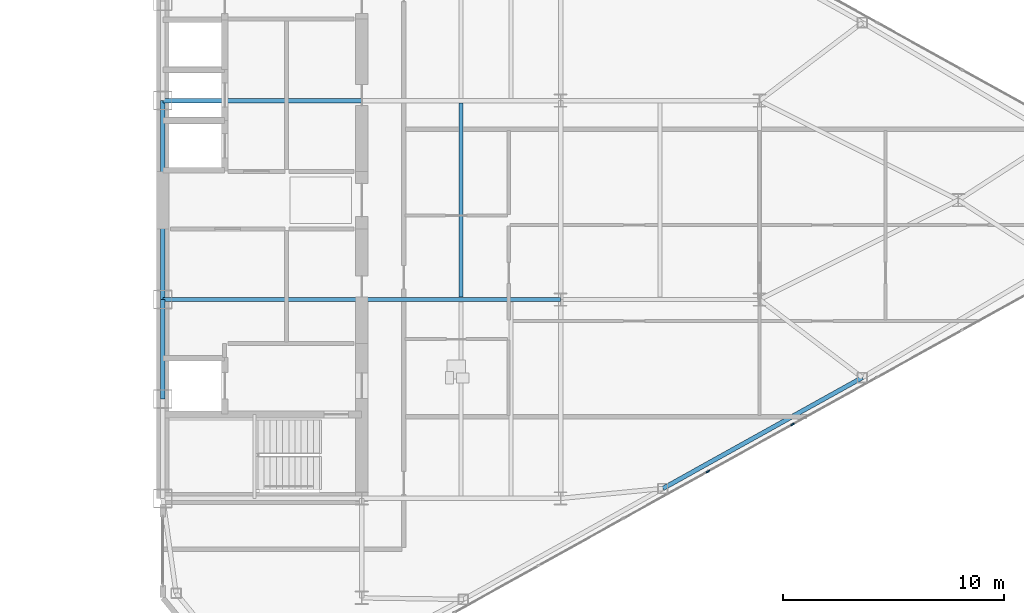
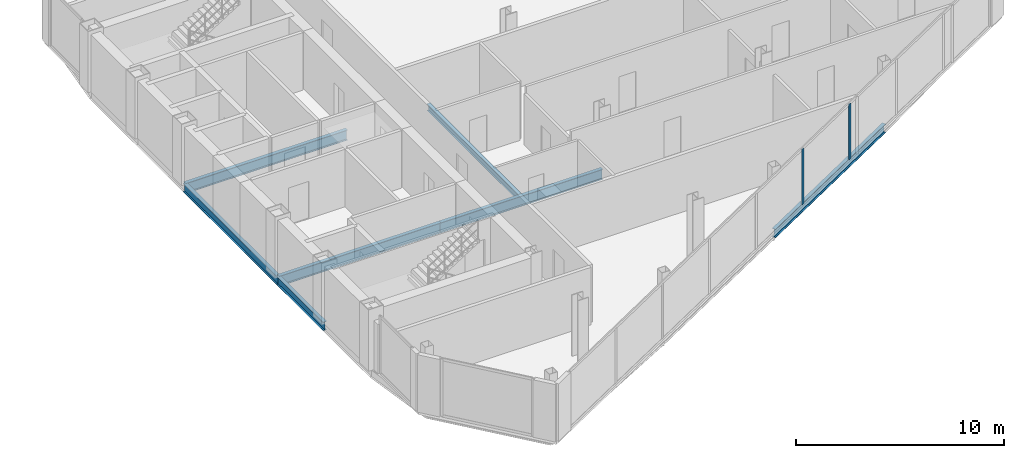
# One storey, part 13 of 25: 7 beams, 2 members, 1 element without a shape of its own.
"""IFC4 building model written with IfcOpenShell, lengths in metres."""

from ifc_helpers import new_model, si_unit, direction, frame, origin, origin_2d, place, context, subcontext, project, spatial, rectangle, i_section, extrude, source, transform, mapped, material, layer, layer_set, material_profile, profile_set, type_object, type_shapes, element, aggregate, save


model = new_model("IFC4")

# Units and contexts
model_context = context("Model", 3, precision=1e-05, world=origin(), true_north=direction((0.0, 1.0)))
body_context = subcontext(model_context, "Body", "Model", "MODEL_VIEW")
ifc_project = project(units=[si_unit("LENGTHUNIT", "METRE"), si_unit("AREAUNIT", "SQUARE_METRE"), si_unit("VOLUMEUNIT", "CUBIC_METRE"), si_unit("PLANEANGLEUNIT", "RADIAN"), si_unit("MASSUNIT", "GRAM", prefix="KILO")], contexts=[model_context])

# Site, building, storey
site_placement = place(None, origin())
site = spatial("IfcSite", under=ifc_project, at=site_placement, CompositionType="ELEMENT")
building_placement = place(site_placement, origin())
building = spatial("IfcBuilding", under=site, at=building_placement, Name="Seokmaru Belvedere", CompositionType="ELEMENT")
storey_placement = place(building_placement, frame((0.0, 0.0, 185.10009765625)))
storey = spatial("IfcBuildingStorey", under=building, at=storey_placement, Name="L49", CompositionType="ELEMENT", Elevation=185.10009765625)

# Beams
ifc_material_1 = material(Name="Steel SM355 (355 MPa)", Category="steel")
ifc_material_profile_1 = material_profile(ifc_material_1, i_section(OverallWidth=0.199951171875, OverallDepth=0.5, WebThickness=0.010009765625, FlangeThickness=0.01611328125, at=origin_2d()), Name="H-500x200x10x16")
ifc_profile_set_1 = profile_set([ifc_material_profile_1], Name="Steel SM355 (355 MPa)")
beam_type_1 = type_object("IfcBeamType", Name="Perimeter Spandrel Beam H-500", PredefinedType="SPANDREL", material=ifc_profile_set_1)
shared_shape_1 = source(origin(), body_context, "Body", "SweptSolid", [
    extrude(i_section(OverallWidth=0.199951171875, OverallDepth=0.5, WebThickness=0.010009765625, FlangeThickness=0.01611328125, at=origin_2d()), origin(), (0.0, 0.0, 1.0), 4.5),
])
beam_1_placement = place(storey_placement, frame((27.5, -9.0, -0.47021484375), z_axis=(0.0, 1.0, 0.0), x_axis=(-1.0, 0.0, 0.0)))
element("IfcBeam", 1, at=beam_1_placement, inside=storey, type_object=beam_type_1, Name="L49 E Portal Spine Spandrel 2", PredefinedType="SPANDREL", context=body_context, shape_type="MappedRepresentation", body=[
    mapped(shared_shape_1, transform((0.0, 0.0, 0.0), scale=1.0)),
])
shared_shape_2 = source(origin(), body_context, "Body", "SweptSolid", [
    extrude(i_section(OverallWidth=0.199951171875, OverallDepth=0.5, WebThickness=0.010009765625, FlangeThickness=0.01611328125, at=origin_2d()), origin(), (0.0, 0.0, 1.0), 9.0),
])
beam_2_placement = place(storey_placement, frame((27.5, -4.5, -0.47021484375), z_axis=(0.0, 1.0, 0.0), x_axis=(-1.0, 0.0, 0.0)))
element("IfcBeam", 2, at=beam_2_placement, inside=storey, type_object=beam_type_1, Name="L49 E Portal Spine Spandrel 3", PredefinedType="SPANDREL", context=body_context, shape_type="MappedRepresentation", body=[
    mapped(shared_shape_2, transform((0.0, 0.0, 0.0), scale=1.0)),
])
ifc_material_profile_2 = material_profile(ifc_material_1, i_section(OverallWidth=0.199951171875, OverallDepth=0.60009765625, WebThickness=0.010986328125, FlangeThickness=0.01708984375, at=origin_2d()), Name="H-600x200x11x17")
ifc_profile_set_2 = profile_set([ifc_material_profile_2], Name="Steel SM355 (355 MPa)")
beam_type_2 = type_object("IfcBeamType", Name="Primary Floor Girder H-600", PredefinedType="BEAM", material=ifc_profile_set_2)
shared_shape_3 = source(origin(), body_context, "Body", "SweptSolid", [
    extrude(i_section(OverallWidth=0.199951171875, OverallDepth=0.60009765625, WebThickness=0.010986328125, FlangeThickness=0.01708984375, at=origin_2d()), origin(), (0.0, 0.0, 1.0), 9.0),
])
type_shapes(beam_type_2, [shared_shape_3])
for number, where, z_axis, x_axis, name in (
    (3, (27.5, -4.5, -0.52001953125), (1.0, 0.0, 0.0), (0.0, 1.0, 0.0), "L49 E Core Tie Girder 2"),
    (4, (36.5, -4.5, -0.52001953125), (1.0, 0.0, 0.0), (0.0, 1.0, 0.0), "L49 E Wing Primary Girder 2"),
    (5, (27.5, 4.5, -0.52001953125), (1.0, 0.0, 0.0), (0.0, 1.0, 0.0), "L49 E Core Tie Girder 3"),
):
    element("IfcBeam", number, at=place(storey_placement, frame(where, z_axis=z_axis, x_axis=x_axis)), inside=storey, type_object=beam_type_2, Name=name, PredefinedType="BEAM", context=body_context, shape_type="MappedRepresentation", body=[
        mapped(shared_shape_3, transform((0.0, 0.0, 0.0), scale=1.0)),
    ])
ifc_material_profile_3 = material_profile(ifc_material_1, i_section(OverallWidth=0.18505859375, OverallDepth=0.389892578125, WebThickness=0.008056640625, FlangeThickness=0.011962890625, at=origin_2d()), Name="H-390x185x8x12")
ifc_profile_set_3 = profile_set([ifc_material_profile_3], Name="Steel SM355 (355 MPa)")
beam_type_3 = type_object("IfcBeamType", Name="Secondary Floor Joist H-350", PredefinedType="JOIST", material=ifc_profile_set_3)
shared_shape_4 = source(origin(), body_context, "Body", "SweptSolid", [
    extrude(i_section(OverallWidth=0.18505859375, OverallDepth=0.389892578125, WebThickness=0.008056640625, FlangeThickness=0.011962890625, at=origin_2d()), origin(), (0.0, 0.0, 1.0), 8.7900390625),
])
type_shapes(beam_type_3, [shared_shape_4])
beam_3_placement = place(storey_placement, frame((41.0, -4.39501953125, -0.4150390625), z_axis=(0.0, 1.0, 0.0), x_axis=(-1.0, 0.0, 0.0)))
element("IfcBeam", 6, at=beam_3_placement, inside=storey, type_object=beam_type_3, Name="L49 E Secondary Floor Joist 2", PredefinedType="JOIST", context=body_context, shape_type="MappedRepresentation", body=[
    mapped(shared_shape_4, transform((0.0, 0.0, 0.0), scale=1.0)),
])
shared_shape_5 = source(origin(), body_context, "Body", "SweptSolid", [
    extrude(i_section(OverallWidth=0.199951171875, OverallDepth=0.5, WebThickness=0.010009765625, FlangeThickness=0.01611328125, at=origin_2d()), origin(), (0.0, 0.0, 1.0), 10.327392578125),
])
type_shapes(beam_type_1, [shared_shape_1, shared_shape_2, shared_shape_5])
beam_4_placement = place(storey_placement, frame((50.129150390625, -13.051025390625, -0.47021484375), z_axis=(0.873934162361, 0.48604431882, 0.0), x_axis=(-0.48604431882, 0.873934162361, 0.0)))
element("IfcBeam", 7, at=beam_4_placement, inside=storey, type_object=beam_type_1, Name="L49 E Faceted Flank Spandrel S-3", PredefinedType="SPANDREL", context=body_context, shape_type="MappedRepresentation", body=[
    mapped(shared_shape_5, transform((0.0, 0.0, 0.0), scale=1.0)),
])

# Curtain wall, members
ifc_material_2 = material(Name="Bronze Triple Insulating Glass", Category="glass")
ifc_layer = layer(ifc_material_2, 0.179931640625)
ifc_layer_set = layer_set([ifc_layer], Name="Bronze Triple Insulating Glass")
curtain_wall_type = type_object("IfcCurtainWallType", Name="High-Rise Wind-Corner Curtain Wall System CW-5", PredefinedType="NOTDEFINED", material=ifc_layer_set)
curtain_wall_placement = place(storey_placement, origin())
curtain_wall = element("IfcCurtainWall", 8, at=curtain_wall_placement, inside=storey, type_object=curtain_wall_type, Name="L49 Curtain Wall EF1", PredefinedType="NOTDEFINED")
ifc_material_3 = material(Name="Anodised Bronze Aluminium", Category="aluminium")
ifc_material_profile_4 = material_profile(ifc_material_3, rectangle(XDim=0.06494140625, YDim=0.179931640625, at=origin_2d()), Name="CW-M-65x180")
ifc_profile_set_4 = profile_set([ifc_material_profile_4], Name="Anodised Bronze Aluminium")
member_type = type_object("IfcMemberType", Name="Bronze Unitised Mullion 65x180", PredefinedType="MULLION", material=ifc_profile_set_4)
shared_shape_6 = source(origin(), body_context, "Body", "SweptSolid", [
    extrude(rectangle(XDim=0.06494140625, YDim=0.179931640625, at=origin_2d()), origin(), (0.0, 0.0, 1.0), 3.25),
])
type_shapes(member_type, [shared_shape_6])
member_1_placement = place(storey_placement, frame((52.166015625, -12.2841796875, 0.06494140625), z_axis=(0.0, 0.0, 1.0), x_axis=(-0.486047125147, 0.873932601598, 0.0)))
member_1 = element("IfcMember", 9, at=member_1_placement, type_object=member_type, Name="CW:L49:EF1 Mullion 6", PredefinedType="MULLION", context=body_context, shape_type="MappedRepresentation", body=[
    mapped(shared_shape_6, transform((0.0, 0.0, 0.0), scale=1.0)),
])
member_2_placement = place(storey_placement, frame((55.998291015625, -10.153076171875, 0.06494140625), z_axis=(0.0, 0.0, 1.0), x_axis=(-0.486047125147, 0.873932601598, 0.0)))
member_2 = element("IfcMember", 10, at=member_2_placement, type_object=member_type, Name="CW:L49:EF1 Mullion 7", PredefinedType="MULLION", context=body_context, shape_type="MappedRepresentation", body=[
    mapped(shared_shape_6, transform((0.0, 0.0, 0.0), scale=1.0)),
])
aggregate(curtain_wall, [member_1, member_2])

save(model, "model.ifc")
